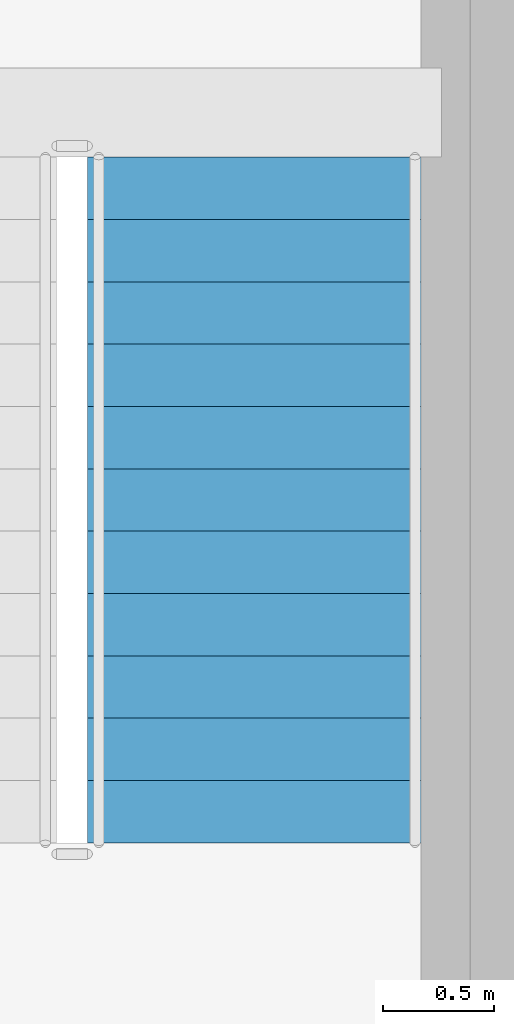
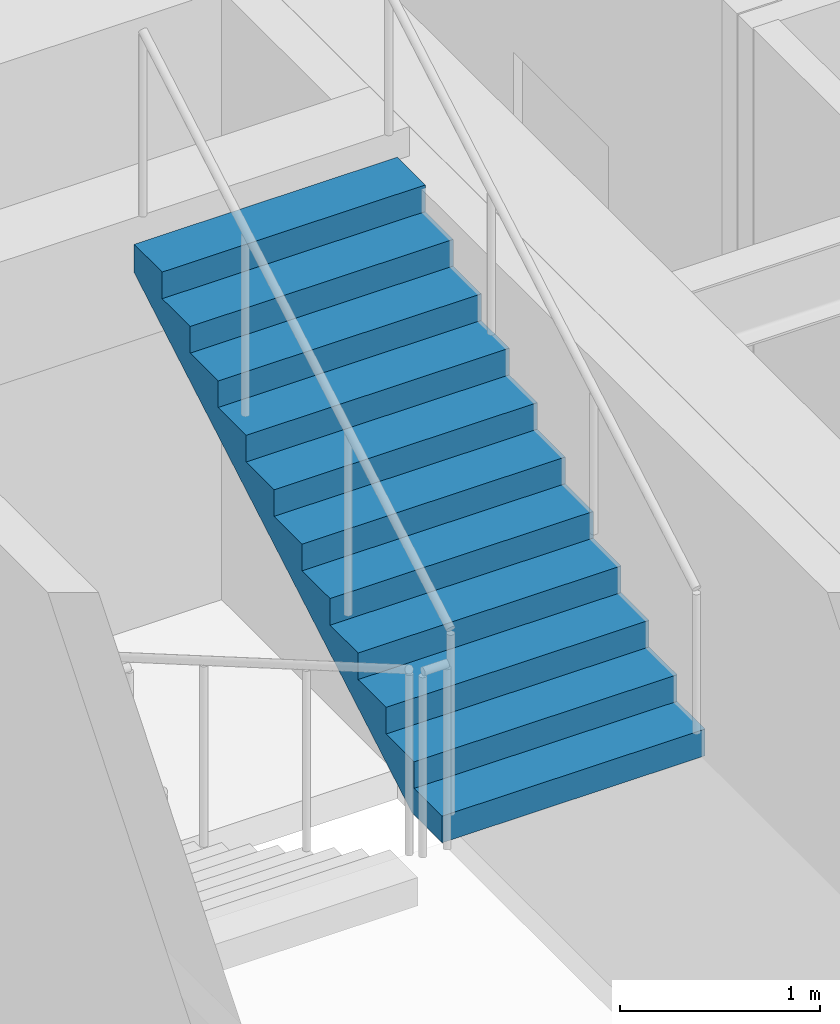
# One storey, part 8 of 10: 1 stair flight, 1 element without a shape of its own.
"""IFC4 building model written with IfcOpenShell, lengths in metres."""

from ifc_helpers import new_model, si_unit, direction, frame, origin, place, context, subcontext, project, spatial, polyline, outline, extrude, material, type_object, element, aggregate, save


model = new_model("IFC4")

# Units and contexts
model_context = context("Model", 3, precision=1e-05, world=origin(), true_north=direction((0.0, 1.0)))
body_context = subcontext(model_context, "Body", "Model", "MODEL_VIEW")
ifc_project = project(units=[si_unit("LENGTHUNIT", "METRE"), si_unit("AREAUNIT", "SQUARE_METRE"), si_unit("VOLUMEUNIT", "CUBIC_METRE"), si_unit("PLANEANGLEUNIT", "RADIAN"), si_unit("MASSUNIT", "GRAM", prefix="KILO")], contexts=[model_context])

# Site, building, storey
site_placement = place(None, origin())
site = spatial("IfcSite", under=ifc_project, at=site_placement, CompositionType="ELEMENT")
building_placement = place(site_placement, origin())
building = spatial("IfcBuilding", under=site, at=building_placement, Name="Haolan Belvedere Tower", CompositionType="ELEMENT")
storey_placement = place(building_placement, frame((0.0, 0.0, 286.10009765625)))
storey = spatial("IfcBuildingStorey", under=building, at=storey_placement, Name="L72", CompositionType="ELEMENT", Elevation=286.10009765625)

# Stair, stair flight
ifc_material = material(Name="Concrete C40/50", Category="concrete")
stair_type = type_object("IfcStairType", Name="STR-DL-24R-162", PredefinedType="HALF_TURN_STAIR", material=ifc_material)
stair_placement = place(storey_placement, origin())
stair = element("IfcStair", 1, at=stair_placement, inside=storey, type_object=stair_type, Name="L72 Smokeproof Core Exit Stair ST2", PredefinedType="HALF_TURN_STAIR")
stair_flight_type = type_object("IfcStairFlightType", Name="SFL-DL-12R-162", PredefinedType="STRAIGHT", material=ifc_material)
stair_flight_placement = place(storey_placement, frame((45.590087890625, 38.14990234375, 1.949951171875), z_axis=(0.0, 0.0, 1.0), x_axis=(0.0, 1.0, 0.0)))
stair_flight = element("IfcStairFlight", 2, at=stair_flight_placement, type_object=stair_flight_type, Name="ST2 flight 2", NumberOfRisers=12, NumberOfTreads=11, PredefinedType="STRAIGHT", RiserHeight=0.1625, TreadLength=0.28, context=body_context, shape_type="SweptSolid", body=[
    extrude(outline(polyline([(0.0, 0.0), (0.0, 0.16259765625), (0.280029296875, 0.16259765625), (0.280029296875, 0.324951171875), (0.56005859375, 0.324951171875), (0.56005859375, 0.487548828125), (0.840087890625, 0.487548828125), (0.840087890625, 0.64990234375), (1.1201171875, 0.64990234375), (1.1201171875, 0.8125), (1.39990234375, 0.8125), (1.39990234375, 0.97509765625), (1.679931640625, 0.97509765625), (1.679931640625, 1.137451171875), (1.9599609375, 1.137451171875), (1.9599609375, 1.300048828125), (2.239990234375, 1.300048828125), (2.239990234375, 1.46240234375), (2.52001953125, 1.46240234375), (2.52001953125, 1.625), (2.800048828125, 1.625), (2.800048828125, 1.78759765625), (3.080078125, 1.78759765625), (3.080078125, 1.949951171875), (3.080078125, 1.6142578125), (0.298583984375, 0.0), (0.0, 0.0)])), frame((0.0, 0.760009765625, 0.0), z_axis=(0.0, -1.0, 0.0), x_axis=(1.0, 0.0, 0.0)), (0.0, 0.0, 1.0), 1.52001953125),
])
aggregate(stair, [stair_flight])

save(model, "model.ifc")
